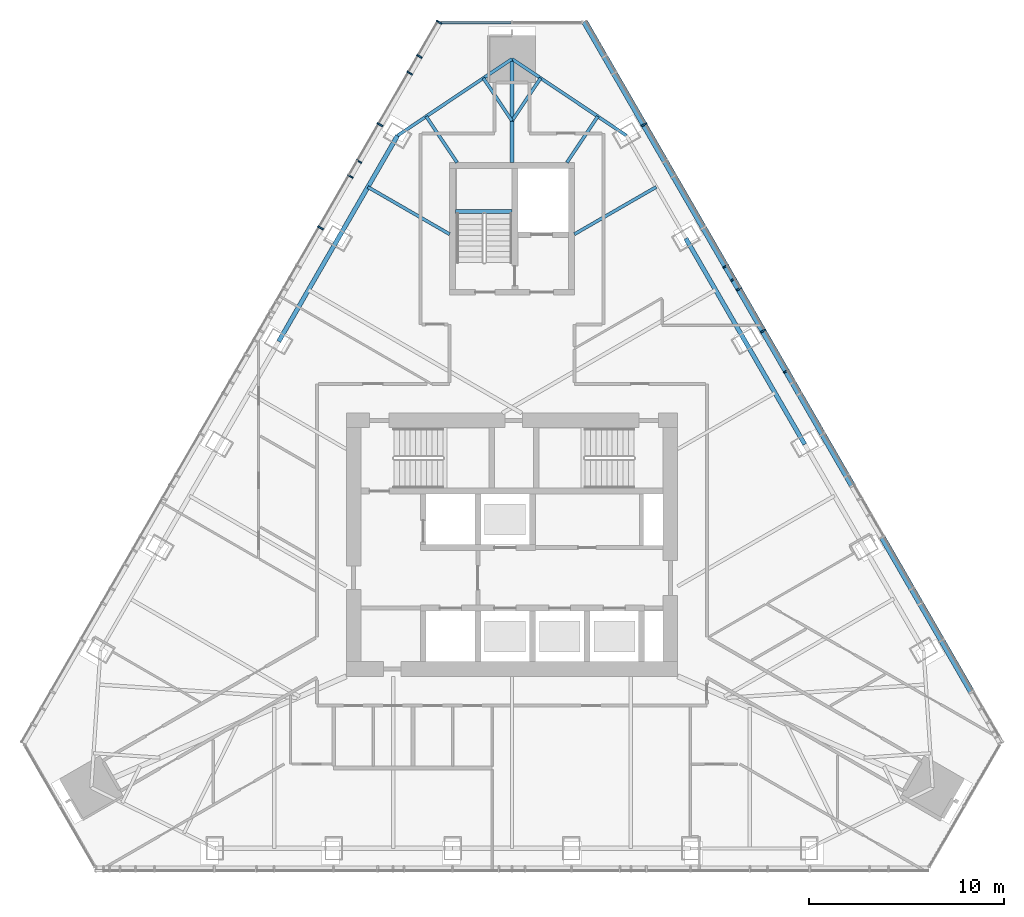
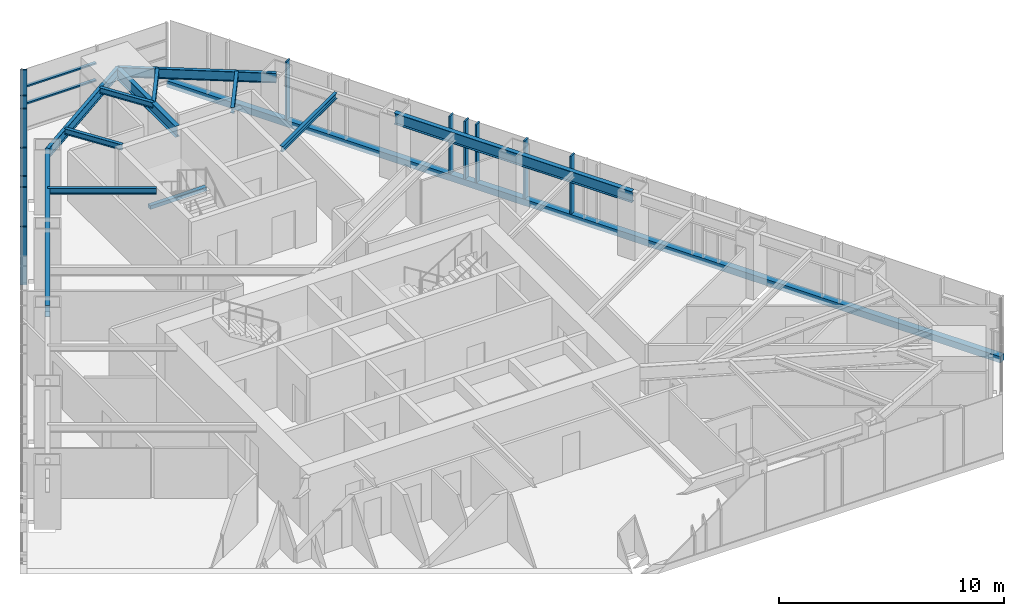
# One storey, part 6 of 18: 16 members, 12 beams, 3 elements without a shape of their own.
"""IFC4 building model written with IfcOpenShell, lengths in metres."""

import ifcopenshell
import ifcopenshell.guid

model = None  # the IFC model being written
_history = None  # IfcOwnerHistory: only IFC2X3 demands one
_inside = {}  # id of a spatial element -> (the spatial element, [elements in it])
_under = {}  # id of a project, library or spatial element -> (it, [spatial elements below it])
_declared = {}  # id of a project -> (the project, [libraries it declares])
_typed = {}  # id of a type object -> (the type object, [elements of that type])
_made_of = {}  # id of a material, layer set ... -> (it, [elements and type objects made of it])


def new_model(schema):
    """Start an empty IFC model of exactly this schema.

    Asked for "IFC4X3", IfcOpenShell would pick the latest addendum, in which some entities
    have other attributes; the version numbers below select the first issue.
    IFC2X3 requires an IfcOwnerHistory on every rooted entity: one is made here for all.
    """
    global model, _history
    if schema == "IFC4X3":
        model = ifcopenshell.file(schema_version=(4, 3, 0, 0))
    else:
        model = ifcopenshell.file(schema=schema)
    _inside.clear()
    _under.clear()
    _declared.clear()
    _typed.clear()
    _made_of.clear()
    _history = None
    if model.schema == "IFC2X3":
        org = make("IfcOrganization", Name="unknown")
        user = make(
            "IfcPersonAndOrganization",
            ThePerson=make("IfcPerson", FamilyName="unknown"),
            TheOrganization=org,
        )
        app = make(
            "IfcApplication",
            ApplicationDeveloper=org,
            Version="unknown",
            ApplicationFullName="unknown",
            ApplicationIdentifier="unknown",
        )
        _history = make(
            "IfcOwnerHistory",
            OwningUser=user,
            OwningApplication=app,
            ChangeAction="ADDED",
            CreationDate=0,
        )
    return model


def make(cls, **values):
    """One entity of the class cls with the attributes given. An attribute that is None is left unset."""
    return model.create_entity(
        cls, **{name: value for name, value in values.items() if value is not None}
    )


def rooted(cls, **values):
    """An entity with a GlobalId (a new one), such as an element, a storey or a relation."""
    return make(cls, GlobalId=ifcopenshell.guid.new(), OwnerHistory=_history, **values)


def si_unit(unit_type, name, prefix=None):
    """IfcSIUnit, for example si_unit("LENGTHUNIT", "METRE", prefix="MILLI")."""
    return make("IfcSIUnit", UnitType=unit_type, Prefix=prefix, Name=name)


def assignment(units):
    """IfcUnitAssignment: the units of a project."""
    return None if units is None else make("IfcUnitAssignment", Units=units)


def point(xyz):
    """IfcCartesianPoint."""
    return None if xyz is None else make("IfcCartesianPoint", Coordinates=xyz)


def direction(xyz):
    """IfcDirection."""
    return None if xyz is None else make("IfcDirection", DirectionRatios=xyz)


def frame(location, z_axis=None, x_axis=None):
    """IfcAxis2Placement3D, a coordinate frame: its origin and axes. An axis left out is left unset."""
    return make(
        "IfcAxis2Placement3D",
        Location=point(location),
        Axis=direction(z_axis),
        RefDirection=direction(x_axis),
    )


def frame_2d(location, x_axis=None):
    """IfcAxis2Placement2D, a coordinate frame in the plane: its origin and x axis."""
    return make(
        "IfcAxis2Placement2D", Location=point(location), RefDirection=direction(x_axis)
    )


def origin():
    """The frame at (0, 0, 0) with its axes left unset."""
    return frame((0.0, 0.0, 0.0))


def origin_2d():
    """The frame at (0, 0) in the plane with its x axis left unset."""
    return frame_2d((0.0, 0.0))


def place(relative_to, where):
    """IfcLocalPlacement: puts the frame where relative to a parent placement (None: the world)."""
    return make(
        "IfcLocalPlacement", PlacementRelTo=relative_to, RelativePlacement=where
    )


def context(
    kind, dimensions, precision=None, world=None, true_north=None, identifier=None
):
    """IfcGeometricRepresentationContext, for example the 3D "Model" context."""
    return make(
        "IfcGeometricRepresentationContext",
        ContextIdentifier=identifier,
        ContextType=kind,
        CoordinateSpaceDimension=dimensions,
        Precision=precision,
        WorldCoordinateSystem=world,
        TrueNorth=true_north,
    )


def subcontext(parent, identifier, kind, view, scale=None):
    """IfcGeometricRepresentationSubContext, for example "Body" below "Model"."""
    return make(
        "IfcGeometricRepresentationSubContext",
        ContextIdentifier=identifier,
        ContextType=kind,
        ParentContext=parent,
        TargetScale=scale,
        TargetView=view,
    )


def project(units=None, contexts=None):
    """IfcProject with its units and contexts."""
    return rooted(
        "IfcProject",
        Name="project",
        RepresentationContexts=contexts,
        UnitsInContext=assignment(units),
    )


def spatial(cls, under=None, at=None, **own):
    """A site, building, storey or space (cls), placed at a placement, below another one or the project."""
    s = rooted(cls, ObjectPlacement=at, **own)
    if under is not None:
        _under.setdefault(under.id(), (under, []))[1].append(s)
    return s


def profile(cls, at=None, kind="AREA", **sizes):
    """A parametric profile (cls). Its sizes go by their IFC names, for example OverallWidth=200.0."""
    return make(cls, ProfileType=kind, Position=at, **sizes)


def rectangle(**sizes):
    """IfcRectangleProfileDef."""
    return profile("IfcRectangleProfileDef", **sizes)


def i_section(**sizes):
    """IfcIShapeProfileDef."""
    return profile("IfcIShapeProfileDef", **sizes)


def extrude(swept, where, along, depth):
    """IfcExtrudedAreaSolid: the profile swept, set in the frame where, extruded along a direction by depth."""
    return make(
        "IfcExtrudedAreaSolid",
        SweptArea=swept,
        Position=where,
        ExtrudedDirection=direction(along),
        Depth=depth,
    )


def shape(context_of_items, identifier, shape_type, items):
    """IfcShapeRepresentation: the items that make up one representation, for example the "Body"."""
    return make(
        "IfcShapeRepresentation",
        ContextOfItems=context_of_items,
        RepresentationIdentifier=identifier,
        RepresentationType=shape_type,
        Items=items,
    )


def material(Name=None, Category=None):
    """IfcMaterial."""
    return make("IfcMaterial", Name=Name, Category=Category)


def layer(
    of_material, thickness, ventilated=None, Name=None, Category=None, Priority=None
):
    """IfcMaterialLayer: one layer of a wall or slab, of a material (None: an air gap)."""
    return make(
        "IfcMaterialLayer",
        Material=of_material,
        LayerThickness=thickness,
        IsVentilated=ventilated,
        Name=Name,
        Category=Category,
        Priority=Priority,
    )


def layer_set(layers, Name=None):
    """IfcMaterialLayerSet."""
    return make("IfcMaterialLayerSet", MaterialLayers=layers, LayerSetName=Name)


def material_profile(
    of_material, cross_section, Name=None, Category=None, Priority=None
):
    """IfcMaterialProfile: a cross section and its material."""
    return make(
        "IfcMaterialProfile",
        Name=Name,
        Material=of_material,
        Profile=cross_section,
        Priority=Priority,
        Category=Category,
    )


def profile_set(profiles, Name=None, composite=None):
    """IfcMaterialProfileSet."""
    return make(
        "IfcMaterialProfileSet",
        Name=Name,
        MaterialProfiles=profiles,
        CompositeProfile=composite,
    )


def made_of(thing, what):
    """Note that an element or type object is made of a material, layer set ...; save() writes the relation."""
    if what is not None:
        _made_of.setdefault(what.id(), (what, []))[1].append(thing)
    return thing


def type_object(cls, material=None, **own):
    """A type object (cls), such as IfcWallType, which elements share."""
    return made_of(rooted(cls, **own), material)


def element(
    cls,
    number,
    at=None,
    inside=None,
    cuts=None,
    type_object=None,
    material=None,
    context=None,
    identifier="Body",
    shape_type=None,
    held_by="IfcProductDefinitionShape",
    body=None,
    shapes=None,
    **own,
):
    """One element of the class cls, such as IfcWall. Its Tag is "e" and its number.

    at: its placement. inside: the storey or other place that contains it. cuts: it is an
    opening in that element (IfcRelVoidsElement). A single representation is given by context,
    identifier, shape_type and body (its items); several are given by shapes. held_by: the class
    of the entity that holds the representations. save() writes the other relations.
    """
    e = rooted(cls, Tag="e%d" % number, ObjectPlacement=at, **own)
    if body is not None:
        shapes = [shape(context, identifier, shape_type, body)]
    if shapes is not None:
        e.Representation = make(held_by, Representations=shapes)
    if inside is not None:
        _inside.setdefault(inside.id(), (inside, []))[1].append(e)
    if cuts is not None:
        rooted(
            "IfcRelVoidsElement", RelatingBuildingElement=cuts, RelatedOpeningElement=e
        )
    if type_object is not None:
        _typed.setdefault(type_object.id(), (type_object, []))[1].append(e)
    return made_of(e, material)


def aggregate(whole, parts):
    """IfcRelAggregates: a whole, such as a stair, and the parts it consists of."""
    return rooted("IfcRelAggregates", RelatingObject=whole, RelatedObjects=parts)


def save(model, path):
    """Write the relations noted so far, then the file.

    IfcRelAggregates (storeys below a building ...), IfcRelContainedInSpatialStructure (elements
    in a storey), IfcRelDefinesByType, IfcRelAssociatesMaterial and IfcRelDeclares: one each for
    every whole, place, type object, material and project.
    """
    for whole, parts in _under.values():
        aggregate(whole, parts)
    for where, things in _inside.values():
        rooted(
            "IfcRelContainedInSpatialStructure",
            RelatedElements=things,
            RelatingStructure=where,
        )
    for kind, things in _typed.values():
        rooted("IfcRelDefinesByType", RelatedObjects=things, RelatingType=kind)
    for what, things in _made_of.values():
        rooted("IfcRelAssociatesMaterial", RelatedObjects=things, RelatingMaterial=what)
    for by, libraries in _declared.values():
        rooted("IfcRelDeclares", RelatingContext=by, RelatedDefinitions=libraries)
    model.write(path)


model = new_model("IFC4")

# Units and contexts
model_context = context("Model", 3, precision=1e-05, world=origin(), true_north=direction((0.0, 1.0)))
body_context = subcontext(model_context, "Body", "Model", "MODEL_VIEW")
ifc_project = project(units=[si_unit("LENGTHUNIT", "METRE"), si_unit("AREAUNIT", "SQUARE_METRE"), si_unit("VOLUMEUNIT", "CUBIC_METRE"), si_unit("PLANEANGLEUNIT", "RADIAN"), si_unit("MASSUNIT", "GRAM", prefix="KILO")], contexts=[model_context])

# Site, building, storey
site_placement = place(None, origin())
site = spatial("IfcSite", under=ifc_project, at=site_placement, CompositionType="ELEMENT")
building_placement = place(site_placement, origin())
building = spatial("IfcBuilding", under=site, at=building_placement, Name="Firuza Gate Tower and Library", CompositionType="ELEMENT")
storey_placement = place(building_placement, frame((0.0, 0.0, 298.60009765625)))
storey = spatial("IfcBuildingStorey", under=building, at=storey_placement, Name="L72", CompositionType="ELEMENT", Elevation=298.60009765625)

# Curtain wall, members
ifc_material_1 = material(Name="Aluminium 6063-T6", Category="aluminium")
ifc_layer_1 = layer(ifc_material_1, 0.14990234375)
ifc_layer_set_1 = layer_set([ifc_layer_1], Name="Unitised curtain wall, residences")
curtain_wall_type_1 = type_object("IfcCurtainWallType", Name="Unitised curtain wall, residences", PredefinedType="NOTDEFINED", material=ifc_layer_set_1)
placement = place(storey_placement, origin())
curtain_wall_1 = element("IfcCurtainWall", 1, at=placement, inside=storey, type_object=curtain_wall_type_1, Name="CW3 L72 E face", PredefinedType="NOTDEFINED")
ifc_material_2 = material(Name="Aluminium 6063-T6", Category="aluminium")
ifc_material_profile_1 = material_profile(ifc_material_2, rectangle(XDim=0.320068359375, YDim=0.080078125, at=origin_2d()))
ifc_profile_set_1 = profile_set([ifc_material_profile_1], Name="Aluminium 6063-T6")
member_type_1 = type_object("IfcMemberType", Name="Curtain wall mullion 80x320", PredefinedType="MULLION", material=ifc_profile_set_1)
member_1_placement = place(storey_placement, frame((87.87939453125, 85.962646484375, 0.14990234375), z_axis=(0.0, 0.0, 1.0), x_axis=(-0.866025403784, -0.5, 0.0)))
member_1 = element("IfcMember", 2, at=member_1_placement, type_object=member_type_1, Name="Mullion", PredefinedType="MULLION", context=body_context, shape_type="SweptSolid", body=[
    extrude(rectangle(XDim=0.320068359375, YDim=0.080078125, at=origin_2d()), origin(), (0.0, 0.0, 1.0), 3.14990234375),
])
member_2_placement = place(storey_placement, frame((86.352294921875, 88.607666015625, 0.14990234375), z_axis=(0.0, 0.0, 1.0), x_axis=(-0.866025403784, -0.5, 0.0)))
member_2 = element("IfcMember", 3, at=member_2_placement, type_object=member_type_1, Name="Mullion", PredefinedType="MULLION", context=body_context, shape_type="SweptSolid", body=[
    extrude(rectangle(XDim=0.320068359375, YDim=0.080078125, at=origin_2d()), origin(), (0.0, 0.0, 1.0), 3.14990234375),
])
member_3_placement = place(storey_placement, frame((81.77099609375, 96.542724609375, 0.14990234375), z_axis=(0.0, 0.0, 1.0), x_axis=(-0.866025403784, -0.5, 0.0)))
member_3 = element("IfcMember", 4, at=member_3_placement, type_object=member_type_1, Name="Mullion", PredefinedType="MULLION", context=body_context, shape_type="SweptSolid", body=[
    extrude(rectangle(XDim=0.320068359375, YDim=0.080078125, at=origin_2d()), origin(), (0.0, 0.0, 1.0), 3.14990234375),
])
member_4_placement = place(storey_placement, frame((89.0703125, 83.900146484375, 0.14990234375), z_axis=(0.0, 0.0, 1.0), x_axis=(-0.866025403784, -0.5, 0.0)))
member_4 = element("IfcMember", 5, at=member_4_placement, type_object=member_type_1, Name="Mullion", PredefinedType="MULLION", context=body_context, shape_type="SweptSolid", body=[
    extrude(rectangle(XDim=0.320068359375, YDim=0.080078125, at=origin_2d()), origin(), (0.0, 0.0, 1.0), 3.14990234375),
])
member_5_placement = place(storey_placement, frame((86.63623046875, 88.115966796875, 0.14990234375), z_axis=(0.0, 0.0, 1.0), x_axis=(-0.866025403784, -0.5, 0.0)))
member_5 = element("IfcMember", 6, at=member_5_placement, type_object=member_type_1, Name="Mullion", PredefinedType="MULLION", context=body_context, shape_type="SweptSolid", body=[
    extrude(rectangle(XDim=0.320068359375, YDim=0.080078125, at=origin_2d()), origin(), (0.0, 0.0, 1.0), 3.14990234375),
])
member_6_placement = place(storey_placement, frame((85.963623046875, 89.281005859375, 0.14990234375), z_axis=(0.0, 0.0, 1.0), x_axis=(-0.866025403784, -0.5, 0.0)))
member_6 = element("IfcMember", 7, at=member_6_placement, type_object=member_type_1, Name="Mullion", PredefinedType="MULLION", context=body_context, shape_type="SweptSolid", body=[
    extrude(rectangle(XDim=0.320068359375, YDim=0.080078125, at=origin_2d()), origin(), (0.0, 0.0, 1.0), 3.14990234375),
])

curtain_wall_2 = element("IfcCurtainWall", 8, at=placement, inside=storey, type_object=curtain_wall_type_1, Name="CW3 L72 W face", PredefinedType="NOTDEFINED")
member_7_placement = place(storey_placement, frame((71.26318359375, 101.798095703125, 0.14990234375), z_axis=(0.0, 0.0, 1.0), x_axis=(0.866025403784, -0.5, 0.0)))
member_7 = element("IfcMember", 9, at=member_7_placement, type_object=member_type_1, Name="Mullion", PredefinedType="MULLION", context=body_context, shape_type="SweptSolid", body=[
    extrude(rectangle(XDim=0.320068359375, YDim=0.080078125, at=origin_2d()), origin(), (0.0, 0.0, 1.0), 3.14990234375),
])
member_8_placement = place(storey_placement, frame((69.756103515625, 99.187744140625, 0.14990234375), z_axis=(0.0, 0.0, 1.0), x_axis=(0.866025403784, -0.5, 0.0)))
member_8 = element("IfcMember", 10, at=member_8_placement, type_object=member_type_1, Name="Mullion", PredefinedType="MULLION", context=body_context, shape_type="SweptSolid", body=[
    extrude(rectangle(XDim=0.320068359375, YDim=0.080078125, at=origin_2d()), origin(), (0.0, 0.0, 1.0), 3.14990234375),
])
member_9_placement = place(storey_placement, frame((68.22900390625, 96.542724609375, 0.14990234375), z_axis=(0.0, 0.0, 1.0), x_axis=(0.866025403784, -0.5, 0.0)))
member_9 = element("IfcMember", 11, at=member_9_placement, type_object=member_type_1, Name="Mullion", PredefinedType="MULLION", context=body_context, shape_type="SweptSolid", body=[
    extrude(rectangle(XDim=0.320068359375, YDim=0.080078125, at=origin_2d()), origin(), (0.0, 0.0, 1.0), 3.14990234375),
])
member_10_placement = place(storey_placement, frame((66.701904296875, 93.897705078125, 0.14990234375), z_axis=(0.0, 0.0, 1.0), x_axis=(0.866025403784, -0.5, 0.0)))
member_10 = element("IfcMember", 12, at=member_10_placement, type_object=member_type_1, Name="Mullion", PredefinedType="MULLION", context=body_context, shape_type="SweptSolid", body=[
    extrude(rectangle(XDim=0.320068359375, YDim=0.080078125, at=origin_2d()), origin(), (0.0, 0.0, 1.0), 3.14990234375),
])
member_11_placement = place(storey_placement, frame((65.1748046875, 91.252685546875, 0.14990234375), z_axis=(0.0, 0.0, 1.0), x_axis=(0.866025403784, -0.5, 0.0)))
member_11 = element("IfcMember", 13, at=member_11_placement, type_object=member_type_1, Name="Mullion", PredefinedType="MULLION", context=body_context, shape_type="SweptSolid", body=[
    extrude(rectangle(XDim=0.320068359375, YDim=0.080078125, at=origin_2d()), origin(), (0.0, 0.0, 1.0), 3.14990234375),
])
member_12_placement = place(storey_placement, frame((70.249755859375, 100.04296875, 0.14990234375), z_axis=(0.0, 0.0, 1.0), x_axis=(0.866025403784, -0.5, 0.0)))
member_12 = element("IfcMember", 14, at=member_12_placement, type_object=member_type_1, Name="Mullion", PredefinedType="MULLION", context=body_context, shape_type="SweptSolid", body=[
    extrude(rectangle(XDim=0.320068359375, YDim=0.080078125, at=origin_2d()), origin(), (0.0, 0.0, 1.0), 3.14990234375),
])
member_13_placement = place(storey_placement, frame((67.14306640625, 94.661865234375, 0.14990234375), z_axis=(0.0, 0.0, 1.0), x_axis=(0.866025403784, -0.5, 0.0)))
member_13 = element("IfcMember", 15, at=member_13_placement, type_object=member_type_1, Name="Mullion", PredefinedType="MULLION", context=body_context, shape_type="SweptSolid", body=[
    extrude(rectangle(XDim=0.320068359375, YDim=0.080078125, at=origin_2d()), origin(), (0.0, 0.0, 1.0), 3.14990234375),
])
aggregate(curtain_wall_2, [member_7, member_8, member_9, member_10, member_11, member_12, member_13])

# Member
ifc_material_3 = material(Name="Aluminium 6063-T6", Category="aluminium")
ifc_material_profile_2 = material_profile(ifc_material_3, rectangle(XDim=0.320068359375, YDim=0.35009765625, at=origin_2d()))
ifc_profile_set_2 = profile_set([ifc_material_profile_2], Name="Aluminium 6063-T6")
member_type_2 = type_object("IfcMemberType", Name="Curtain wall transom 350x320", PredefinedType="USERDEFINED", material=ifc_profile_set_2)
member_14_placement = place(storey_placement, frame((100.09619140625, 64.802734375, -0.025146484375), z_axis=(-0.500001704016, 0.866024419968, 0.0), x_axis=(-0.866024419968, -0.500001704016, 0.0)))
member_14 = element("IfcMember", 16, at=member_14_placement, type_object=member_type_2, Name="Transom", ObjectType="TRANSOM", PredefinedType="USERDEFINED", context=body_context, shape_type="SweptSolid", body=[
    extrude(rectangle(XDim=0.320068359375, YDim=0.35009765625, at=origin_2d()), origin(), (0.0, 0.0, 1.0), 42.758544921875),
])

aggregate(curtain_wall_1, [member_1, member_2, member_3, member_14, member_4, member_5, member_6])

# Curtain wall, members
ifc_material_4 = material(Name="Aluminium 6063-T6", Category="aluminium")
ifc_layer_2 = layer(ifc_material_4, 0.14990234375)
ifc_layer_set_2 = layer_set([ifc_layer_2], Name="Corner curtain wall, chamfers")
curtain_wall_type_2 = type_object("IfcCurtainWallType", Name="Corner curtain wall, chamfers", PredefinedType="NOTDEFINED", material=ifc_layer_set_2)
curtain_wall_3 = element("IfcCurtainWall", 17, at=placement, inside=storey, type_object=curtain_wall_type_2, Name="CW4 L72 N corner", PredefinedType="NOTDEFINED")
ifc_material_5 = material(Name="Aluminium 6063-T6", Category="aluminium")
ifc_material_profile_3 = material_profile(ifc_material_5, rectangle(XDim=0.14990234375, YDim=0.080078125, at=origin_2d()))
ifc_profile_set_3 = profile_set([ifc_material_profile_3], Name="Aluminium 6063-T6")
member_type_3 = type_object("IfcMemberType", Name="Curtain wall transom 80x150", PredefinedType="USERDEFINED", material=ifc_profile_set_3)
member_15_placement = place(storey_placement, frame((74.9599609375, 101.7900390625, 1.449951171875), z_axis=(-1.0, 0.0, 0.0), x_axis=(0.0, -1.0, 0.0)))
member_15 = element("IfcMember", 18, at=member_15_placement, type_object=member_type_3, Name="Transom", ObjectType="TRANSOM", PredefinedType="USERDEFINED", context=body_context, shape_type="SweptSolid", body=[
    extrude(rectangle(XDim=0.14990234375, YDim=0.080078125, at=origin_2d()), origin(), (0.0, 0.0, 1.0), 3.563232421875),
])
member_16_placement = place(storey_placement, frame((74.9599609375, 101.7900390625, 2.375), z_axis=(-1.0, 0.0, 0.0), x_axis=(0.0, -1.0, 0.0)))
member_16 = element("IfcMember", 19, at=member_16_placement, type_object=member_type_3, Name="Transom", ObjectType="TRANSOM", PredefinedType="USERDEFINED", context=body_context, shape_type="SweptSolid", body=[
    extrude(rectangle(XDim=0.14990234375, YDim=0.080078125, at=origin_2d()), origin(), (0.0, 0.0, 1.0), 3.563232421875),
])
aggregate(curtain_wall_3, [member_15, member_16])

# Beams
ifc_material_6 = material(Name="Concrete C35/45", Category="concrete")
ifc_material_profile_4 = material_profile(ifc_material_6, rectangle(XDim=0.199951171875, YDim=0.199951171875, at=origin_2d()))
ifc_profile_set_4 = profile_set([ifc_material_profile_4], Name="Concrete C35/45")
beam_type_1 = type_object("IfcBeamType", Name="Stair landing bearer 200x200", PredefinedType="BEAM", material=ifc_profile_set_4)
beam_1_placement = place(storey_placement, frame((75.0, 92.090087890625, 1.449951171875), z_axis=(-1.0, 0.0, 0.0), x_axis=(0.0, -1.0, 0.0)))
element("IfcBeam", 20, at=beam_1_placement, inside=storey, type_object=beam_type_1, Name="Landing bearer L72 stair 3", PredefinedType="BEAM", context=body_context, shape_type="SweptSolid", body=[
    extrude(rectangle(XDim=0.199951171875, YDim=0.199951171875, at=origin_2d()), origin(), (0.0, 0.0, 1.0), 2.89990234375),
])
ifc_material_7 = material(Name="Steel S355", Category="steel")
ifc_material_profile_5 = material_profile(ifc_material_7, i_section(OverallWidth=0.1650390625, OverallDepth=0.31005859375, WebThickness=0.005859375, FlangeThickness=0.009765625, at=origin_2d()))
ifc_profile_set_5 = profile_set([ifc_material_profile_5], Name="Steel S355")
beam_type_2 = type_object("IfcBeamType", Name="W310x39 Floor beam", PredefinedType="JOIST", material=ifc_profile_set_5)
beam_2_placement = place(storey_placement, frame((82.392578125, 93.34619140625, 3.14501953125), z_axis=(-0.866021826347, -0.500006196252, 0.0), x_axis=(0.500006196252, -0.866021826347, 0.0)))
element("IfcBeam", 21, at=beam_2_placement, inside=storey, type_object=beam_type_2, Name="Floor beam L72 s54", PredefinedType="JOIST", context=body_context, shape_type="SweptSolid", body=[
    extrude(i_section(OverallWidth=0.1650390625, OverallDepth=0.31005859375, WebThickness=0.005859375, FlangeThickness=0.009765625, at=origin_2d()), origin(), (0.0, 0.0, 1.0), 4.84130859375),
])
beam_3_placement = place(storey_placement, frame((79.4013671875, 96.96826171875, 3.14501953125), z_axis=(-0.556320222959, -0.830967995489, 0.0), x_axis=(0.830967995489, -0.556320222959, 0.0)))
element("IfcBeam", 22, at=beam_3_placement, inside=storey, type_object=beam_type_2, Name="Floor beam L72 s60", PredefinedType="JOIST", context=body_context, shape_type="SweptSolid", body=[
    extrude(i_section(OverallWidth=0.1650390625, OverallDepth=0.31005859375, WebThickness=0.005859375, FlangeThickness=0.009765625, at=origin_2d()), origin(), (0.0, 0.0, 1.0), 2.849853515625),
])
for number, where, z_axis, x_axis, name in (
    (23, (76.467041015625, 98.932861328125, 3.14501953125), (-0.556344279154, -0.830951889734, 0.0), (0.830951889734, -0.556344279154, 0.0), "Floor beam L72 s61"),
    (24, (73.532958984375, 98.932861328125, 3.14501953125), (0.556344279154, -0.830951889734, 0.0), (0.830951889734, 0.556344279154, 0.0), "Floor beam L72 s70"),
):
    element("IfcBeam", number, at=place(storey_placement, frame(where, z_axis=z_axis, x_axis=x_axis)), inside=storey, type_object=beam_type_2, Name=name, PredefinedType="JOIST", context=body_context, shape_type="SweptSolid", body=[
        extrude(i_section(OverallWidth=0.1650390625, OverallDepth=0.31005859375, WebThickness=0.005859375, FlangeThickness=0.009765625, at=origin_2d()), origin(), (0.0, 0.0, 1.0), 2.636962890625),
    ])
beam_4_placement = place(storey_placement, frame((70.5986328125, 96.96826171875, 3.14501953125), z_axis=(0.556320222959, -0.830967995489, 0.0), x_axis=(0.830967995489, 0.556320222959, 0.0)))
element("IfcBeam", 25, at=beam_4_placement, inside=storey, type_object=beam_type_2, Name="Floor beam L72 s71", PredefinedType="JOIST", context=body_context, shape_type="SweptSolid", body=[
    extrude(i_section(OverallWidth=0.1650390625, OverallDepth=0.31005859375, WebThickness=0.005859375, FlangeThickness=0.009765625, at=origin_2d()), origin(), (0.0, 0.0, 1.0), 2.849853515625),
])
beam_5_placement = place(storey_placement, frame((67.607421875, 93.34619140625, 3.14501953125), z_axis=(0.866021826347, -0.500006196252, 0.0), x_axis=(0.500006196252, 0.866021826347, 0.0)))
element("IfcBeam", 26, at=beam_5_placement, inside=storey, type_object=beam_type_2, Name="Floor beam L72 s80", PredefinedType="JOIST", context=body_context, shape_type="SweptSolid", body=[
    extrude(i_section(OverallWidth=0.1650390625, OverallDepth=0.31005859375, WebThickness=0.005859375, FlangeThickness=0.009765625, at=origin_2d()), origin(), (0.0, 0.0, 1.0), 4.84130859375),
])
ifc_material_8 = material(Name="Steel S355", Category="steel")
ifc_material_profile_6 = material_profile(ifc_material_8, i_section(OverallWidth=0.166015625, OverallDepth=0.534912109375, WebThickness=0.01025390625, FlangeThickness=0.0166015625, at=origin_2d()))
ifc_profile_set_6 = profile_set([ifc_material_profile_6], Name="Steel S355")
beam_type_3 = type_object("IfcBeamType", Name="W530x85 Edge beam", PredefinedType="SPANDREL", material=ifc_profile_set_6)
for number, where, z_axis, x_axis, name in (
    (27, (80.86865234375, 95.98583984375, 3.032470703125), (-0.830953121898, 0.556342438798, 0.0), (-0.556342438798, -0.830953121898, 0.0), "Edge beam L72 e60"),
    (28, (75.0, 99.9150390625, 3.032470703125), (-0.830953121898, -0.556342438798, 0.0), (0.556342438798, -0.830953121898, 0.0), "Edge beam L72 e70"),
):
    element("IfcBeam", number, at=place(storey_placement, frame(where, z_axis=z_axis, x_axis=x_axis)), inside=storey, type_object=beam_type_3, Name=name, PredefinedType="SPANDREL", context=body_context, shape_type="SweptSolid", body=[
        extrude(i_section(OverallWidth=0.166015625, OverallDepth=0.534912109375, WebThickness=0.01025390625, FlangeThickness=0.0166015625, at=origin_2d()), origin(), (0.0, 0.0, 1.0), 7.0625),
    ])
ifc_material_9 = material(Name="Steel S355", Category="steel")
ifc_material_profile_7 = material_profile(ifc_material_9, i_section(OverallWidth=0.22802734375, OverallDepth=0.60302734375, WebThickness=0.010498046875, FlangeThickness=0.014892578125, at=origin_2d()))
ifc_profile_set_7 = profile_set([ifc_material_profile_7], Name="Steel S355")
beam_type_4 = type_object("IfcBeamType", Name="W610x101 Girder", PredefinedType="BEAM", material=ifc_profile_set_7)
beam_6_placement = place(storey_placement, frame((75.0, 99.9150390625, 2.998291015625), z_axis=(0.0, -1.0, 0.0), x_axis=(1.0, 0.0, 0.0)))
element("IfcBeam", 29, at=beam_6_placement, inside=storey, type_object=beam_type_4, Name="Girder L72 gN", PredefinedType="BEAM", context=body_context, shape_type="SweptSolid", body=[
    extrude(i_section(OverallWidth=0.22802734375, OverallDepth=0.60302734375, WebThickness=0.010498046875, FlangeThickness=0.014892578125, at=origin_2d()), origin(), (0.0, 0.0, 1.0), 5.31494140625),
])
ifc_material_10 = material(Name="Steel S355", Category="steel")
ifc_material_profile_8 = material_profile(ifc_material_10, i_section(OverallWidth=0.22900390625, OverallDepth=0.612060546875, WebThickness=0.011962890625, FlangeThickness=0.01953125, at=origin_2d()))
ifc_profile_set_8 = profile_set([ifc_material_profile_8], Name="Steel S355")
beam_type_5 = type_object("IfcBeamType", Name="W610x125 Edge beam", PredefinedType="SPANDREL", material=ifc_profile_set_8)
beam_7_placement = place(storey_placement, frame((90.0126953125, 80.14794921875, 2.993896484375), z_axis=(-0.500011347202, 0.866018852375, 0.0), x_axis=(-0.866018852375, -0.500011347202, 0.0)))
element("IfcBeam", 30, at=beam_7_placement, inside=storey, type_object=beam_type_5, Name="Edge beam L72 e52", PredefinedType="SPANDREL", context=body_context, shape_type="SweptSolid", body=[
    extrude(i_section(OverallWidth=0.22900390625, OverallDepth=0.612060546875, WebThickness=0.011962890625, FlangeThickness=0.01953125, at=origin_2d()), origin(), (0.0, 0.0, 1.0), 12.192138671875),
])
beam_8_placement = place(storey_placement, frame((69.13134765625, 95.98583984375, 2.993896484375), z_axis=(-0.499996328842, -0.866027523318, 0.0), x_axis=(0.866027523318, -0.499996328842, 0.0)))
element("IfcBeam", 31, at=beam_8_placement, inside=storey, type_object=beam_type_5, Name="Edge beam L72 e80", PredefinedType="SPANDREL", context=body_context, shape_type="SweptSolid", body=[
    extrude(i_section(OverallWidth=0.22900390625, OverallDepth=0.612060546875, WebThickness=0.011962890625, FlangeThickness=0.01953125, at=origin_2d()), origin(), (0.0, 0.0, 1.0), 12.19189453125),
])

save(model, "model.ifc")
